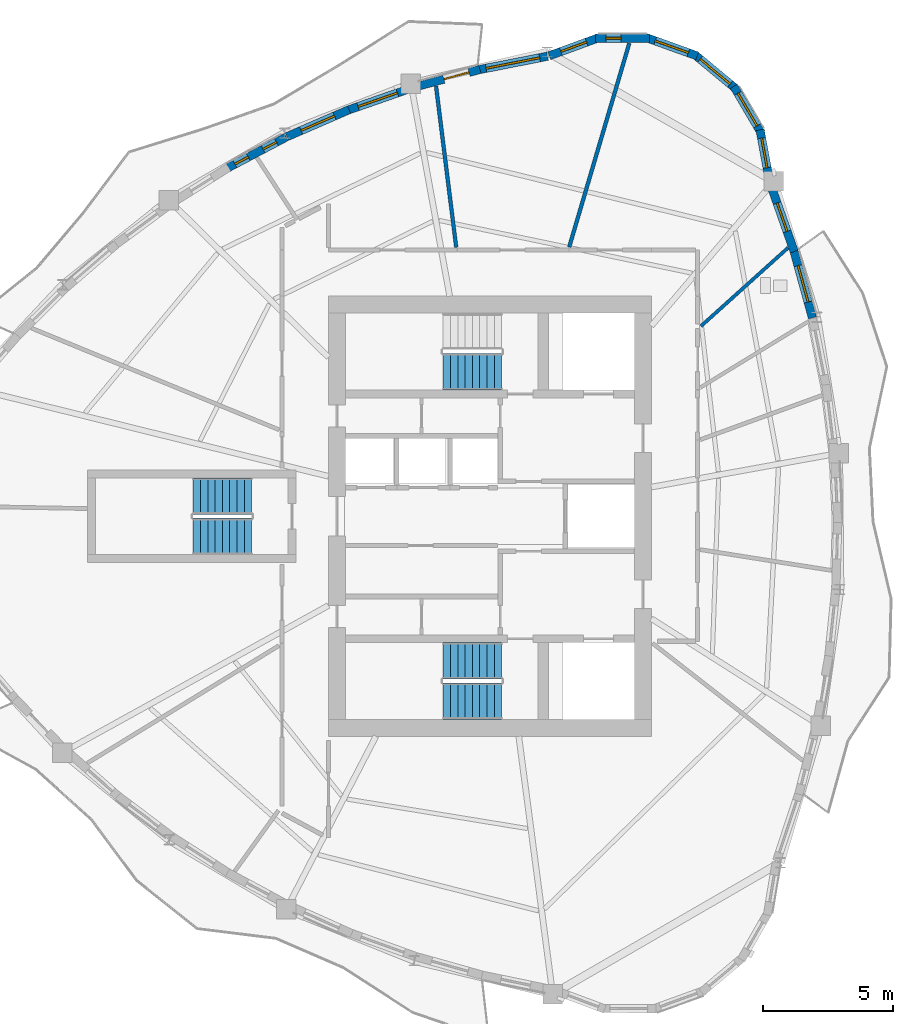
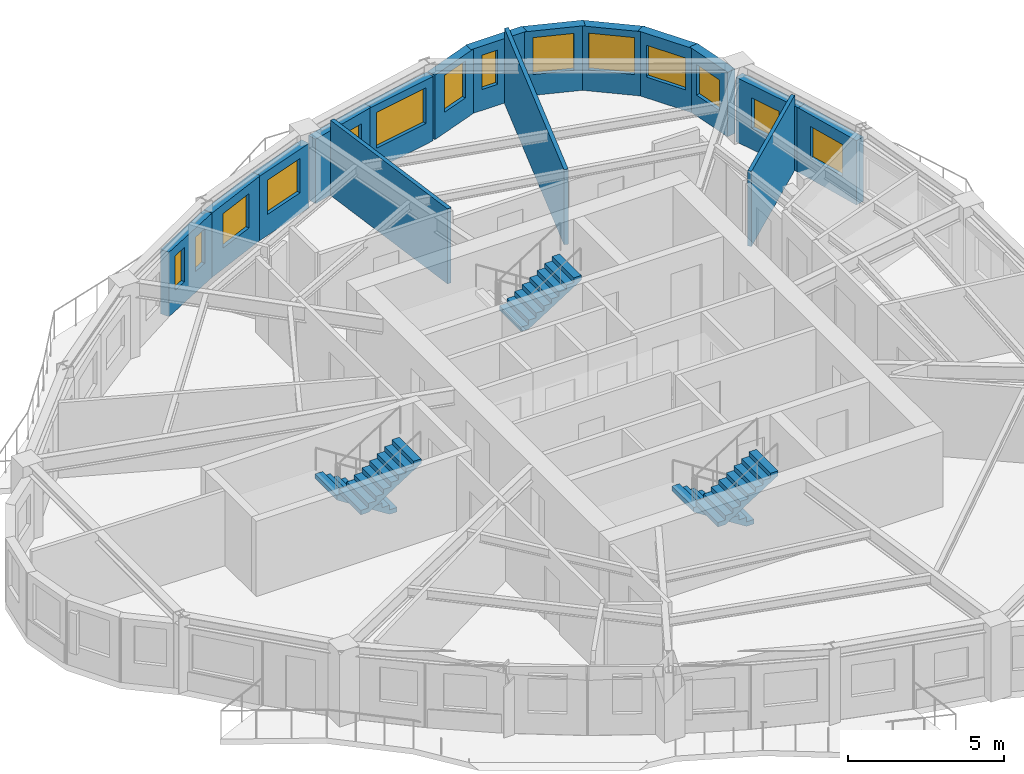
# One storey, part 7 of 12: 16 walls, 13 windows, 5 stair flights, 1 door, 14 openings, 3 elements without a shape of their own.
"""IFC4 building model written with IfcOpenShell, lengths in metres."""

from ifc_helpers import new_model, si_unit, direction, frame, frame_2d, origin, place, context, subcontext, project, spatial, polyline, rectangle, outline, extrude, source, transform, mapped, material, layer, layer_set, type_object, element, fill, aggregate, save


model = new_model("IFC4")

# Units and contexts
model_context = context("Model", 3, precision=1e-05, world=origin(), true_north=direction((0.0, 1.0)))
body_context = subcontext(model_context, "Body", "Model", "MODEL_VIEW")
ifc_project = project(units=[si_unit("LENGTHUNIT", "METRE"), si_unit("AREAUNIT", "SQUARE_METRE"), si_unit("VOLUMEUNIT", "CUBIC_METRE"), si_unit("PLANEANGLEUNIT", "RADIAN"), si_unit("MASSUNIT", "GRAM", prefix="KILO")], contexts=[model_context])

# Site, building, storey
site_placement = place(None, origin())
site = spatial("IfcSite", under=ifc_project, at=site_placement, CompositionType="ELEMENT")
building_placement = place(site_placement, origin())
building = spatial("IfcBuilding", under=site, at=building_placement, Name="Qafzar Sky-Pleat Residences", CompositionType="ELEMENT")
storey_placement = place(building_placement, frame((0.0, 0.0, 174.60009765625)))
storey = spatial("IfcBuildingStorey", under=building, at=storey_placement, Name="L52", CompositionType="ELEMENT", Elevation=174.60009765625)

# Walls
ifc_material_1 = material(Name="Acoustic gypsum plasterboard partition", Category="gypsum")
ifc_layer_1 = layer(ifc_material_1, 0.14501953125)
ifc_layer_set_1 = layer_set([ifc_layer_1], Name="Acoustic gypsum plasterboard partition")
wall_type_1 = type_object("IfcWallType", Name="PART-UNIT-145", PredefinedType="PARTITIONING", material=ifc_layer_set_1)
wall_1_placement = place(storey_placement, frame((33.39697265625, 36.338134765625, 0.0), z_axis=(0.0, 0.0, 1.0), x_axis=(0.282812266721, 0.9591752821, 0.0)))
element("IfcWall", 1, at=wall_1_placement, inside=storey, type_object=wall_type_1, Name="L52 Partition Wall PART-L52-PW-015", PredefinedType="PARTITIONING", context=body_context, shape_type="SweptSolid", body=[
    extrude(rectangle(XDim=8.163818359375, YDim=0.14501953125, at=frame_2d((4.08203125, 0.0))), origin(), (0.0, 0.0, 1.0), 2.949951171875),
])
wall_2_placement = place(storey_placement, frame((28.284423828125, 42.519287109375, 0.0), z_axis=(0.0, 0.0, 1.0), x_axis=(0.124092513413, -0.992270652652, 0.0)))
element("IfcWall", 2, at=wall_2_placement, inside=storey, type_object=wall_type_1, Name="L52 Partition Wall PART-L52-PW-018", PredefinedType="PARTITIONING", context=body_context, shape_type="SweptSolid", body=[
    extrude(rectangle(XDim=6.24072265625, YDim=0.14501953125, at=frame_2d((3.120361328125, 0.0))), origin(), (0.0, 0.0, 1.0), 2.949951171875),
])
ifc_material_2 = material(Name="Moisture-resistant gypsum partition", Category="gypsum")
ifc_layer_2 = layer(ifc_material_2, 0.1298828125)
ifc_layer_set_2 = layer_set([ifc_layer_2], Name="Moisture-resistant gypsum partition")
wall_type_2 = type_object("IfcWallType", Name="PART-WET-130", PredefinedType="PARTITIONING", material=ifc_layer_set_2)
wall_3_placement = place(storey_placement, frame((38.45947265625, 33.302490234375, 0.0), z_axis=(0.0, 0.0, 1.0), x_axis=(0.743161955126, 0.669111581467, 0.0)))
element("IfcWall", 3, at=wall_3_placement, inside=storey, type_object=wall_type_2, Name="L52 Partition Wall PART-L52-PW-022", PredefinedType="PARTITIONING", context=body_context, shape_type="SweptSolid", body=[
    extrude(rectangle(XDim=4.500244140625, YDim=0.1298828125, at=frame_2d((2.25, 0.0))), origin(), (0.0, 0.0, 1.0), 2.949951171875),
])

# Wall, opening, window
ifc_material_3 = material(Name="Precast concrete C40/50 with honed Riyadh limestone", Category="concrete")
ifc_layer_3 = layer(ifc_material_3, 0.320068359375)
ifc_layer_set_3 = layer_set([ifc_layer_3], Name="Precast concrete C40/50 with honed Riyadh limestone")
wall_type_3 = type_object("IfcWallType", Name="WALL-EXT-320", PredefinedType="SOLIDWALL", material=ifc_layer_set_3)
wall_4_placement = place(storey_placement, frame((42.738037109375, 33.620361328125, 0.0), z_axis=(0.0, 0.0, 1.0), x_axis=(-0.266368237314, 0.963871341077, 0.0)))
wall_4 = element("IfcWall", 4, at=wall_4_placement, inside=storey, type_object=wall_type_3, Name="L52 Limestone Facade Wall 31", PredefinedType="SOLIDWALL", context=body_context, shape_type="SweptSolid", body=[
    extrude(rectangle(XDim=2.724853515625, YDim=0.320068359375, at=frame_2d((1.3623046875, 0.0))), origin(), (0.0, 0.0, 1.0), 2.52978515625),
])
opening_1_placement = place(wall_4_placement, frame((0.62744140625, 0.0, 0.820068359375)))
opening_1 = element("IfcOpeningElement", 5, at=opening_1_placement, cuts=wall_4, Name="Opening WN-15", PredefinedType="OPENING", context=body_context, shape_type="SweptSolid", body=[
    extrude(rectangle(XDim=1.449951171875, YDim=1.25, at=frame_2d((0.72509765625, 0.625))), frame((0.0, 0.169921875, 0.0), z_axis=(0.0, -1.0, 0.0), x_axis=(1.0, 0.0, 0.0)), (0.0, 0.0, 1.0), 0.340087890625),
])
ifc_material_4 = material(Name="Solar-control low-E glass in bronze aluminium frame", Category="glass")
window_type_1 = type_object("IfcWindowType", Name="WIN-15", PartitioningType="SINGLE_PANEL", PredefinedType="WINDOW", material=ifc_material_4)
shared_shape_1 = source(origin(), body_context, "Body", "SweptSolid", [
    extrude(rectangle(XDim=1.449951171875, YDim=1.25, at=frame_2d((0.72509765625, 0.625))), frame((0.0, 0.030029296875, 0.0), z_axis=(0.0, -1.0, 0.0), x_axis=(1.0, 0.0, 0.0)), (0.0, 0.0, 1.0), 0.06005859375),
])
window_1_placement = place(opening_1_placement, origin())
window_1 = element("IfcWindow", 6, at=window_1_placement, inside=storey, type_object=window_type_1, Name="L52 Punched Facade Window 31", OverallHeight=1.25, OverallWidth=1.449951171875, PartitioningType="SINGLE_PANEL", PredefinedType="WINDOW", context=body_context, shape_type="MappedRepresentation", body=[
    mapped(shared_shape_1, transform((0.0, 0.0, 0.0), x_axis=(1.0, 0.0, 0.0), y_axis=(0.0, 1.0, 0.0), z_axis=(0.0, 0.0, 1.0), scale=1.0)),
])
fill(opening_1, window_1)

wall_5_placement = place(storey_placement, frame((42.0380859375, 36.163818359375, 0.0), z_axis=(0.0, 0.0, 1.0), x_axis=(-0.332757175442, 0.943012546148, 0.0)))
wall_5 = element("IfcWall", 7, at=wall_5_placement, inside=storey, type_object=wall_type_3, Name="L52 Limestone Facade Wall 32", PredefinedType="SOLIDWALL", context=body_context, shape_type="SweptSolid", body=[
    extrude(rectangle(XDim=2.6376953125, YDim=0.320068359375, at=frame_2d((1.31884765625, 0.0))), origin(), (0.0, 0.0, 1.0), 2.52978515625),
])
opening_2_placement = place(wall_5_placement, frame((0.822998046875, 0.0, 0.820068359375)))
opening_2 = element("IfcOpeningElement", 8, at=opening_2_placement, cuts=wall_5, Name="Opening WN-16", PredefinedType="OPENING", context=body_context, shape_type="SweptSolid", body=[
    extrude(rectangle(XDim=1.14990234375, YDim=1.199951171875, at=frame_2d((0.574951171875, 0.60009765625))), frame((0.0, 0.169921875, 0.0), z_axis=(0.0, -1.0, 0.0), x_axis=(1.0, 0.0, 0.0)), (0.0, 0.0, 1.0), 0.340087890625),
])
window_type_2 = type_object("IfcWindowType", Name="WIN-16", PartitioningType="SINGLE_PANEL", PredefinedType="WINDOW", material=ifc_material_4)
shared_shape_2 = source(origin(), body_context, "Body", "SweptSolid", [
    extrude(rectangle(XDim=1.14990234375, YDim=1.199951171875, at=frame_2d((0.574951171875, 0.60009765625))), frame((0.0, 0.030029296875, 0.0), z_axis=(0.0, -1.0, 0.0), x_axis=(1.0, 0.0, 0.0)), (0.0, 0.0, 1.0), 0.06005859375),
])
window_2_placement = place(opening_2_placement, origin())
window_2 = element("IfcWindow", 9, at=window_2_placement, inside=storey, type_object=window_type_2, Name="L52 Punched Facade Window 32", OverallHeight=1.199951171875, OverallWidth=1.14990234375, PartitioningType="SINGLE_PANEL", PredefinedType="WINDOW", context=body_context, shape_type="MappedRepresentation", body=[
    mapped(shared_shape_2, transform((0.0, 0.0, 0.0), x_axis=(1.0, 0.0, 0.0), y_axis=(0.0, 1.0, 0.0), z_axis=(0.0, 0.0, 1.0), scale=1.0)),
])
fill(opening_2, window_2)

wall_6_placement = place(storey_placement, frame((41.069091796875, 38.992919921875, 0.0), z_axis=(0.0, 0.0, 1.0), x_axis=(-0.182373191939, 0.983229382627, 0.0)))
wall_6 = element("IfcWall", 10, at=wall_6_placement, inside=storey, type_object=wall_type_3, Name="L52 Limestone Facade Wall 33", PredefinedType="SOLIDWALL", context=body_context, shape_type="SweptSolid", body=[
    extrude(rectangle(XDim=1.878173828125, YDim=0.320068359375, at=frame_2d((0.93896484375, 0.0))), origin(), (0.0, 0.0, 1.0), 2.52978515625),
])
opening_3_placement = place(wall_6_placement, frame((0.39892578125, 0.0, 0.820068359375)))
opening_3 = element("IfcOpeningElement", 11, at=opening_3_placement, cuts=wall_6, Name="Opening WN-16", PredefinedType="OPENING", context=body_context, shape_type="SweptSolid", body=[
    extrude(rectangle(XDim=1.14990234375, YDim=1.199951171875, at=frame_2d((0.574951171875, 0.60009765625))), frame((0.0, 0.169921875, 0.0), z_axis=(0.0, -1.0, 0.0), x_axis=(1.0, 0.0, 0.0)), (0.0, 0.0, 1.0), 0.340087890625),
])
window_3_placement = place(opening_3_placement, origin())
window_3 = element("IfcWindow", 12, at=window_3_placement, inside=storey, type_object=window_type_2, Name="L52 Punched Facade Window 33", OverallHeight=1.199951171875, OverallWidth=1.14990234375, PartitioningType="SINGLE_PANEL", PredefinedType="WINDOW", context=body_context, shape_type="MappedRepresentation", body=[
    mapped(shared_shape_2, transform((0.0, 0.0, 0.0), x_axis=(1.0, 0.0, 0.0), y_axis=(0.0, 1.0, 0.0), z_axis=(0.0, 0.0, 1.0), scale=1.0)),
])
fill(opening_3, window_3)

wall_7_placement = place(storey_placement, frame((40.77197265625, 40.717529296875, 0.0), z_axis=(0.0, 0.0, 1.0), x_axis=(-0.506312473438, 0.86235009088, 0.0)))
wall_7 = element("IfcWall", 13, at=wall_7_placement, inside=storey, type_object=wall_type_3, Name="L52 Limestone Facade Wall 34", PredefinedType="SOLIDWALL", context=body_context, shape_type="SweptSolid", body=[
    extrude(rectangle(XDim=2.0810546875, YDim=0.320068359375, at=frame_2d((1.04052734375, 0.0))), origin(), (0.0, 0.0, 1.0), 2.52978515625),
])
opening_4_placement = place(wall_7_placement, frame((0.3154296875, 0.0, 0.820068359375)))
opening_4 = element("IfcOpeningElement", 14, at=opening_4_placement, cuts=wall_7, Name="Opening WN-15", PredefinedType="OPENING", context=body_context, shape_type="SweptSolid", body=[
    extrude(rectangle(XDim=1.449951171875, YDim=1.25, at=frame_2d((0.72509765625, 0.625))), frame((0.0, 0.169921875, 0.0), z_axis=(0.0, -1.0, 0.0), x_axis=(1.0, 0.0, 0.0)), (0.0, 0.0, 1.0), 0.340087890625),
])
window_4_placement = place(opening_4_placement, origin())
window_4 = element("IfcWindow", 15, at=window_4_placement, inside=storey, type_object=window_type_1, Name="L52 Punched Facade Window 34", OverallHeight=1.25, OverallWidth=1.449951171875, PartitioningType="SINGLE_PANEL", PredefinedType="WINDOW", context=body_context, shape_type="MappedRepresentation", body=[
    mapped(shared_shape_1, transform((0.0, 0.0, 0.0), x_axis=(1.0, 0.0, 0.0), y_axis=(0.0, 1.0, 0.0), z_axis=(0.0, 0.0, 1.0), scale=1.0)),
])
fill(opening_4, window_4)

wall_8_placement = place(storey_placement, frame((39.802490234375, 42.4130859375, 0.0), z_axis=(0.0, 0.0, 1.0), x_axis=(-0.769642650648, 0.638474894028, 0.0)))
wall_8 = element("IfcWall", 16, at=wall_8_placement, inside=storey, type_object=wall_type_3, Name="L52 Limestone Facade Wall 35", PredefinedType="SOLIDWALL", context=body_context, shape_type="SweptSolid", body=[
    extrude(rectangle(XDim=2.080810546875, YDim=0.320068359375, at=frame_2d((1.04052734375, 0.0))), origin(), (0.0, 0.0, 1.0), 2.52978515625),
])
opening_5_placement = place(wall_8_placement, frame((0.29052734375, 0.0, 0.820068359375)))
opening_5 = element("IfcOpeningElement", 17, at=opening_5_placement, cuts=wall_8, Name="Opening WN-03", PredefinedType="OPENING", context=body_context, shape_type="SweptSolid", body=[
    extrude(rectangle(XDim=1.5, YDim=1.449951171875, at=frame_2d((0.75, 0.72509765625))), frame((0.0, 0.169921875, 0.0), z_axis=(0.0, -1.0, 0.0), x_axis=(1.0, 0.0, 0.0)), (0.0, 0.0, 1.0), 0.340087890625),
])
window_type_3 = type_object("IfcWindowType", Name="WIN-03", PartitioningType="DOUBLE_PANEL_VERTICAL", PredefinedType="WINDOW", material=ifc_material_4)
shared_shape_3 = source(origin(), body_context, "Body", "SweptSolid", [
    extrude(rectangle(XDim=1.5, YDim=1.449951171875, at=frame_2d((0.75, 0.72509765625))), frame((0.0, 0.030029296875, 0.0), z_axis=(0.0, -1.0, 0.0), x_axis=(1.0, 0.0, 0.0)), (0.0, 0.0, 1.0), 0.06005859375),
])
window_5_placement = place(opening_5_placement, origin())
window_5 = element("IfcWindow", 18, at=window_5_placement, inside=storey, type_object=window_type_3, Name="L52 Punched Facade Window 35", OverallHeight=1.449951171875, OverallWidth=1.5, PartitioningType="SINGLE_PANEL", PredefinedType="WINDOW", context=body_context, shape_type="MappedRepresentation", body=[
    mapped(shared_shape_3, transform((0.0, 0.0, 0.0), x_axis=(1.0, 0.0, 0.0), y_axis=(0.0, 1.0, 0.0), z_axis=(0.0, 0.0, 1.0), scale=1.0)),
])
fill(opening_5, window_5)

wall_9_placement = place(storey_placement, frame((38.31396484375, 43.67724609375, 0.0), z_axis=(0.0, 0.0, 1.0), x_axis=(-0.941071215914, 0.338208466153, 0.0)))
wall_9 = element("IfcWall", 19, at=wall_9_placement, inside=storey, type_object=wall_type_3, Name="L52 Limestone Facade Wall 36", PredefinedType="SOLIDWALL", context=body_context, shape_type="SweptSolid", body=[
    extrude(rectangle(XDim=2.0810546875, YDim=0.320068359375, at=frame_2d((1.04052734375, 0.0))), origin(), (0.0, 0.0, 1.0), 2.52978515625),
])
opening_6_placement = place(wall_9_placement, frame((0.365478515625, 0.0, 0.820068359375)))
opening_6 = element("IfcOpeningElement", 20, at=opening_6_placement, cuts=wall_9, Name="Opening WN-04", PredefinedType="OPENING", context=body_context, shape_type="SweptSolid", body=[
    extrude(rectangle(XDim=1.35009765625, YDim=1.449951171875, at=frame_2d((0.675048828125, 0.72509765625))), frame((0.0, 0.169921875, 0.0), z_axis=(0.0, -1.0, 0.0), x_axis=(1.0, 0.0, 0.0)), (0.0, 0.0, 1.0), 0.340087890625),
])
window_type_4 = type_object("IfcWindowType", Name="WIN-04", PartitioningType="SINGLE_PANEL", PredefinedType="WINDOW", material=ifc_material_4)
shared_shape_4 = source(origin(), body_context, "Body", "SweptSolid", [
    extrude(rectangle(XDim=1.35009765625, YDim=1.449951171875, at=frame_2d((0.675048828125, 0.72509765625))), frame((0.0, 0.030029296875, 0.0), z_axis=(0.0, -1.0, 0.0), x_axis=(1.0, 0.0, 0.0)), (0.0, 0.0, 1.0), 0.06005859375),
])
window_6_placement = place(opening_6_placement, origin())
window_6 = element("IfcWindow", 21, at=window_6_placement, inside=storey, type_object=window_type_4, Name="L52 Punched Facade Window 36", OverallHeight=1.449951171875, OverallWidth=1.35009765625, PartitioningType="SINGLE_PANEL", PredefinedType="WINDOW", context=body_context, shape_type="MappedRepresentation", body=[
    mapped(shared_shape_4, transform((0.0, 0.0, 0.0), x_axis=(1.0, 0.0, 0.0), y_axis=(0.0, 1.0, 0.0), z_axis=(0.0, 0.0, 1.0), scale=1.0)),
])
fill(opening_6, window_6)

wall_10_placement = place(storey_placement, frame((36.48388671875, 44.35888671875, 0.0), z_axis=(0.0, 0.0, 1.0), x_axis=(-0.999997248057, -0.0023460346, 0.0)))
wall_10 = element("IfcWall", 22, at=wall_10_placement, inside=storey, type_object=wall_type_3, Name="L52 Limestone Facade Wall 37", PredefinedType="SOLIDWALL", context=body_context, shape_type="SweptSolid", body=[
    extrude(rectangle(XDim=2.081298828125, YDim=0.320068359375, at=frame_2d((1.04052734375, 0.0))), origin(), (0.0, 0.0, 1.0), 2.52978515625),
])
opening_7_placement = place(wall_10_placement, frame((1.09423828125, 0.0, 0.820068359375)))
opening_7 = element("IfcOpeningElement", 23, at=opening_7_placement, cuts=wall_10, Name="Opening WN-17", PredefinedType="OPENING", context=body_context, shape_type="SweptSolid", body=[
    extrude(rectangle(XDim=0.580078125, YDim=1.35009765625, at=frame_2d((0.2900390625, 0.675048828125))), frame((0.0, 0.169921875, 0.0), z_axis=(0.0, -1.0, 0.0), x_axis=(1.0, 0.0, 0.0)), (0.0, 0.0, 1.0), 0.340087890625),
])
window_type_5 = type_object("IfcWindowType", Name="WIN-17", PartitioningType="SINGLE_PANEL", PredefinedType="WINDOW", material=ifc_material_4)
shared_shape_5 = source(origin(), body_context, "Body", "SweptSolid", [
    extrude(rectangle(XDim=0.580078125, YDim=1.35009765625, at=frame_2d((0.2900390625, 0.675048828125))), frame((0.0, 0.030029296875, 0.0), z_axis=(0.0, -1.0, 0.0), x_axis=(1.0, 0.0, 0.0)), (0.0, 0.0, 1.0), 0.06005859375),
])
window_7_placement = place(opening_7_placement, origin())
window_7 = element("IfcWindow", 24, at=window_7_placement, inside=storey, type_object=window_type_5, Name="L52 Punched Facade Window 37-2", OverallHeight=1.35009765625, OverallWidth=0.580078125, PartitioningType="SINGLE_PANEL", PredefinedType="WINDOW", context=body_context, shape_type="MappedRepresentation", body=[
    mapped(shared_shape_5, transform((0.0, 0.0, 0.0), x_axis=(1.0, 0.0, 0.0), y_axis=(0.0, 1.0, 0.0), z_axis=(0.0, 0.0, 1.0), scale=1.0)),
])
fill(opening_7, window_7)

wall_11_placement = place(storey_placement, frame((34.53076171875, 44.376708984375, 0.0), z_axis=(0.0, 0.0, 1.0), x_axis=(-0.939387553708, -0.342857148007, 0.0)))
wall_11 = element("IfcWall", 25, at=wall_11_placement, inside=storey, type_object=wall_type_3, Name="L52 Limestone Facade Wall 38", PredefinedType="SOLIDWALL", context=body_context, shape_type="SweptSolid", body=[
    extrude(rectangle(XDim=2.02294921875, YDim=0.320068359375, at=frame_2d((1.011474609375, 0.0))), origin(), (0.0, 0.0, 1.0), 2.52978515625),
])
opening_8_placement = place(wall_11_placement, frame((0.49658203125, 0.0, 0.820068359375)))
opening_8 = element("IfcOpeningElement", 26, at=opening_8_placement, cuts=wall_11, Name="Opening WN-06", PredefinedType="OPENING", context=body_context, shape_type="SweptSolid", body=[
    extrude(rectangle(XDim=1.050048828125, YDim=1.449951171875, at=frame_2d((0.52490234375, 0.72509765625))), frame((0.0, 0.169921875, 0.0), z_axis=(0.0, -1.0, 0.0), x_axis=(1.0, 0.0, 0.0)), (0.0, 0.0, 1.0), 0.340087890625),
])
window_type_6 = type_object("IfcWindowType", Name="WIN-06", PartitioningType="SINGLE_PANEL", PredefinedType="WINDOW", material=ifc_material_4)
shared_shape_6 = source(origin(), body_context, "Body", "SweptSolid", [
    extrude(rectangle(XDim=1.050048828125, YDim=1.449951171875, at=frame_2d((0.52490234375, 0.72509765625))), frame((0.0, 0.030029296875, 0.0), z_axis=(0.0, -1.0, 0.0), x_axis=(1.0, 0.0, 0.0)), (0.0, 0.0, 1.0), 0.06005859375),
])
window_8_placement = place(opening_8_placement, origin())
window_8 = element("IfcWindow", 27, at=window_8_placement, inside=storey, type_object=window_type_6, Name="L52 Punched Facade Window 38", OverallHeight=1.449951171875, OverallWidth=1.050048828125, PartitioningType="SINGLE_PANEL", PredefinedType="WINDOW", context=body_context, shape_type="MappedRepresentation", body=[
    mapped(shared_shape_6, transform((0.0, 0.0, 0.0), x_axis=(1.0, 0.0, 0.0), y_axis=(0.0, 1.0, 0.0), z_axis=(0.0, 0.0, 1.0), scale=1.0)),
])
fill(opening_8, window_8)

wall_12_placement = place(storey_placement, frame((32.56787109375, 43.665771484375, 0.0), z_axis=(0.0, 0.0, 1.0), x_axis=(-0.98123405142, -0.192820476959, 0.0)))
wall_12 = element("IfcWall", 28, at=wall_12_placement, inside=storey, type_object=wall_type_3, Name="L52 Limestone Facade Wall 39", PredefinedType="SOLIDWALL", context=body_context, shape_type="SweptSolid", body=[
    extrude(rectangle(XDim=2.736083984375, YDim=0.320068359375, at=frame_2d((1.3681640625, 0.0))), origin(), (0.0, 0.0, 1.0), 2.52978515625),
])
opening_9_placement = place(wall_12_placement, frame((0.30810546875, 0.0, 0.820068359375)))
opening_9 = element("IfcOpeningElement", 29, at=opening_9_placement, cuts=wall_12, Name="Opening WN-07", PredefinedType="OPENING", context=body_context, shape_type="SweptSolid", body=[
    extrude(rectangle(XDim=2.10009765625, YDim=1.39990234375, at=frame_2d((1.050048828125, 0.699951171875))), frame((0.0, 0.169921875, 0.0), z_axis=(0.0, -1.0, 0.0), x_axis=(1.0, 0.0, 0.0)), (0.0, 0.0, 1.0), 0.340087890625),
])
window_type_7 = type_object("IfcWindowType", Name="WIN-07", PartitioningType="DOUBLE_PANEL_VERTICAL", PredefinedType="WINDOW", material=ifc_material_4)
shared_shape_7 = source(origin(), body_context, "Body", "SweptSolid", [
    extrude(rectangle(XDim=2.10009765625, YDim=1.39990234375, at=frame_2d((1.050048828125, 0.699951171875))), frame((0.0, 0.030029296875, 0.0), z_axis=(0.0, -1.0, 0.0), x_axis=(1.0, 0.0, 0.0)), (0.0, 0.0, 1.0), 0.06005859375),
])
window_9_placement = place(opening_9_placement, origin())
window_9 = element("IfcWindow", 30, at=window_9_placement, inside=storey, type_object=window_type_7, Name="L52 Punched Facade Window 39", OverallHeight=1.39990234375, OverallWidth=2.10009765625, PartitioningType="SINGLE_PANEL", PredefinedType="WINDOW", context=body_context, shape_type="MappedRepresentation", body=[
    mapped(shared_shape_7, transform((0.0, 0.0, 0.0), x_axis=(1.0, 0.0, 0.0), y_axis=(0.0, 1.0, 0.0), z_axis=(0.0, 0.0, 1.0), scale=1.0)),
])
fill(opening_9, window_9)

# Wall, opening, door
wall_13_placement = place(storey_placement, frame((29.968017578125, 43.157958984375, 0.0), z_axis=(0.0, 0.0, 1.0), x_axis=(-0.965458407369, -0.260557217593, 0.0)))
wall_13 = element("IfcWall", 31, at=wall_13_placement, inside=storey, type_object=wall_type_3, Name="L52 Limestone Facade Wall 40", PredefinedType="SOLIDWALL", context=body_context, shape_type="SweptSolid", body=[
    extrude(rectangle(XDim=2.53466796875, YDim=0.320068359375, at=frame_2d((1.267333984375, 0.0))), origin(), (0.0, 0.0, 1.0), 2.52978515625),
])
opening_10_placement = place(wall_13_placement, frame((0.433837890625, 0.0, 0.0)))
opening_10 = element("IfcOpeningElement", 32, at=opening_10_placement, cuts=wall_13, Name="Opening ED-05", PredefinedType="OPENING", context=body_context, shape_type="SweptSolid", body=[
    extrude(rectangle(XDim=1.0, YDim=2.10009765625, at=frame_2d((0.5, 1.050048828125))), frame((0.0, 0.169921875, 0.0), z_axis=(0.0, -1.0, 0.0), x_axis=(1.0, 0.0, 0.0)), (0.0, 0.0, 1.0), 0.340087890625),
])
ifc_material_5 = material(Name="Glazed bronze aluminium door", Category="aluminium")
door_type = type_object("IfcDoorType", Name="DR-BAL-1000", OperationType="NOTDEFINED", PredefinedType="DOOR", material=ifc_material_5)
shared_shape_8 = source(origin(), body_context, "Body", "SweptSolid", [
    extrude(rectangle(XDim=1.0, YDim=2.10009765625, at=frame_2d((0.5, 1.050048828125))), frame((0.0, 0.02490234375, 0.0), z_axis=(0.0, -1.0, 0.0), x_axis=(1.0, 0.0, 0.0)), (0.0, 0.0, 1.0), 0.050048828125),
])
door_placement = place(opening_10_placement, origin())
door = element("IfcDoor", 33, at=door_placement, inside=storey, type_object=door_type, Name="L52 Glazed Balcony Door 2", OperationType="SINGLE_SWING_RIGHT", OverallHeight=2.10009765625, OverallWidth=1.0, PredefinedType="DOOR", context=body_context, shape_type="MappedRepresentation", body=[
    mapped(shared_shape_8, transform((0.0, 0.0, 0.0), x_axis=(1.0, 0.0, 0.0), y_axis=(0.0, 1.0, 0.0), z_axis=(0.0, 0.0, 1.0), scale=1.0)),
])
fill(opening_10, door)

# Wall, opening, window
wall_14_placement = place(storey_placement, frame((27.217041015625, 42.403564453125, 0.0), z_axis=(0.0, 0.0, 1.0), x_axis=(-0.94410869631, -0.329634296687, 0.0)))
wall_14 = element("IfcWall", 34, at=wall_14_placement, inside=storey, type_object=wall_type_3, Name="L52 Limestone Facade Wall 41", PredefinedType="SOLIDWALL", context=body_context, shape_type="SweptSolid", body=[
    extrude(rectangle(XDim=2.49072265625, YDim=0.320068359375, at=frame_2d((1.245361328125, 0.0))), origin(), (0.0, 0.0, 1.0), 2.52978515625),
])
opening_11_placement = place(wall_14_placement, frame((0.4404296875, 0.0, 0.820068359375)))
opening_11 = element("IfcOpeningElement", 35, at=opening_11_placement, cuts=wall_14, Name="Opening WN-09", PredefinedType="OPENING", context=body_context, shape_type="SweptSolid", body=[
    extrude(rectangle(XDim=1.60009765625, YDim=1.35009765625, at=frame_2d((0.800048828125, 0.675048828125))), frame((0.0, 0.169921875, 0.0), z_axis=(0.0, -1.0, 0.0), x_axis=(1.0, 0.0, 0.0)), (0.0, 0.0, 1.0), 0.340087890625),
])
window_type_8 = type_object("IfcWindowType", Name="WIN-09", PartitioningType="DOUBLE_PANEL_VERTICAL", PredefinedType="WINDOW", material=ifc_material_4)
shared_shape_9 = source(origin(), body_context, "Body", "SweptSolid", [
    extrude(rectangle(XDim=1.60009765625, YDim=1.35009765625, at=frame_2d((0.800048828125, 0.675048828125))), frame((0.0, 0.030029296875, 0.0), z_axis=(0.0, -1.0, 0.0), x_axis=(1.0, 0.0, 0.0)), (0.0, 0.0, 1.0), 0.06005859375),
])
window_10_placement = place(opening_11_placement, origin())
window_10 = element("IfcWindow", 36, at=window_10_placement, inside=storey, type_object=window_type_8, Name="L52 Punched Facade Window 41", OverallHeight=1.35009765625, OverallWidth=1.60009765625, PartitioningType="SINGLE_PANEL", PredefinedType="WINDOW", context=body_context, shape_type="MappedRepresentation", body=[
    mapped(shared_shape_9, transform((0.0, 0.0, 0.0), x_axis=(1.0, 0.0, 0.0), y_axis=(0.0, 1.0, 0.0), z_axis=(0.0, 0.0, 1.0), scale=1.0)),
])
fill(opening_11, window_10)

wall_15_placement = place(storey_placement, frame((24.947021484375, 41.614501953125, 0.0), z_axis=(0.0, 0.0, 1.0), x_axis=(-0.9171028146, -0.398650758752, 0.0)))
wall_15 = element("IfcWall", 37, at=wall_15_placement, inside=storey, type_object=wall_type_3, Name="L52 Limestone Facade Wall 42", PredefinedType="SOLIDWALL", context=body_context, shape_type="SweptSolid", body=[
    extrude(rectangle(XDim=2.6064453125, YDim=0.320068359375, at=frame_2d((1.30322265625, 0.0))), origin(), (0.0, 0.0, 1.0), 2.52978515625),
])
opening_12_placement = place(wall_15_placement, frame((0.61328125, 0.0, 0.820068359375)))
opening_12 = element("IfcOpeningElement", 38, at=opening_12_placement, cuts=wall_15, Name="Opening WN-10", PredefinedType="OPENING", context=body_context, shape_type="SweptSolid", body=[
    extrude(rectangle(XDim=1.39990234375, YDim=1.35009765625, at=frame_2d((0.699951171875, 0.675048828125))), frame((0.0, 0.169921875, 0.0), z_axis=(0.0, -1.0, 0.0), x_axis=(1.0, 0.0, 0.0)), (0.0, 0.0, 1.0), 0.340087890625),
])
window_type_9 = type_object("IfcWindowType", Name="WIN-10", PartitioningType="SINGLE_PANEL", PredefinedType="WINDOW", material=ifc_material_4)
shared_shape_10 = source(origin(), body_context, "Body", "SweptSolid", [
    extrude(rectangle(XDim=1.39990234375, YDim=1.35009765625, at=frame_2d((0.699951171875, 0.675048828125))), frame((0.0, 0.030029296875, 0.0), z_axis=(0.0, -1.0, 0.0), x_axis=(1.0, 0.0, 0.0)), (0.0, 0.0, 1.0), 0.06005859375),
])
window_11_placement = place(opening_12_placement, origin())
window_11 = element("IfcWindow", 39, at=window_11_placement, inside=storey, type_object=window_type_9, Name="L52 Punched Facade Window 42", OverallHeight=1.35009765625, OverallWidth=1.39990234375, PartitioningType="SINGLE_PANEL", PredefinedType="WINDOW", context=body_context, shape_type="MappedRepresentation", body=[
    mapped(shared_shape_10, transform((0.0, 0.0, 0.0), x_axis=(1.0, 0.0, 0.0), y_axis=(0.0, 1.0, 0.0), z_axis=(0.0, 0.0, 1.0), scale=1.0)),
])
fill(opening_12, window_11)

# Wall, openings, windows
wall_16_placement = place(storey_placement, frame((22.531494140625, 40.5634765625, 0.0), z_axis=(0.0, 0.0, 1.0), x_axis=(-0.884376111278, -0.466774992691, 0.0)))
wall_16 = element("IfcWall", 40, at=wall_16_placement, inside=storey, type_object=wall_type_3, Name="L52 Limestone Facade Wall 43", PredefinedType="SOLIDWALL", context=body_context, shape_type="SweptSolid", body=[
    extrude(rectangle(XDim=2.591552734375, YDim=0.320068359375, at=frame_2d((1.2958984375, 0.0))), origin(), (0.0, 0.0, 1.0), 2.52978515625),
])
opening_13_placement = place(wall_16_placement, frame((0.42431640625, 0.0, 0.820068359375)))
opening_13 = element("IfcOpeningElement", 41, at=opening_13_placement, cuts=wall_16, Name="Opening WN-17", PredefinedType="OPENING", context=body_context, shape_type="SweptSolid", body=[
    extrude(rectangle(XDim=0.580078125, YDim=1.35009765625, at=frame_2d((0.2900390625, 0.675048828125))), frame((0.0, 0.169921875, 0.0), z_axis=(0.0, -1.0, 0.0), x_axis=(1.0, 0.0, 0.0)), (0.0, 0.0, 1.0), 0.340087890625),
])
opening_14_placement = place(wall_16_placement, frame((1.650390625, 0.0, 0.820068359375)))
opening_14 = element("IfcOpeningElement", 42, at=opening_14_placement, cuts=wall_16, Name="Opening WN-17", PredefinedType="OPENING", context=body_context, shape_type="SweptSolid", body=[
    extrude(rectangle(XDim=0.580078125, YDim=1.35009765625, at=frame_2d((0.2900390625, 0.675048828125))), frame((0.0, 0.169921875, 0.0), z_axis=(0.0, -1.0, 0.0), x_axis=(1.0, 0.0, 0.0)), (0.0, 0.0, 1.0), 0.340087890625),
])
window_12_placement = place(opening_13_placement, origin())
window_12 = element("IfcWindow", 43, at=window_12_placement, inside=storey, type_object=window_type_5, Name="L52 Punched Facade Window 43", OverallHeight=1.35009765625, OverallWidth=0.580078125, PartitioningType="SINGLE_PANEL", PredefinedType="WINDOW", context=body_context, shape_type="MappedRepresentation", body=[
    mapped(shared_shape_5, transform((0.0, 0.0, 0.0), x_axis=(1.0, 0.0, 0.0), y_axis=(0.0, 1.0, 0.0), z_axis=(0.0, 0.0, 1.0), scale=1.0)),
])
fill(opening_13, window_12)
window_13_placement = place(opening_14_placement, origin())
window_13 = element("IfcWindow", 44, at=window_13_placement, inside=storey, type_object=window_type_5, Name="L52 Punched Facade Window 43-2", OverallHeight=1.35009765625, OverallWidth=0.580078125, PartitioningType="SINGLE_PANEL", PredefinedType="WINDOW", context=body_context, shape_type="MappedRepresentation", body=[
    mapped(shared_shape_5, transform((0.0, 0.0, 0.0), x_axis=(1.0, 0.0, 0.0), y_axis=(0.0, 1.0, 0.0), z_axis=(0.0, 0.0, 1.0), scale=1.0)),
])
fill(opening_14, window_13)

# Stair, stair flights
ifc_material_6 = material(Name="Concrete C40/50", Category="concrete")
stair_type = type_object("IfcStairType", Name="STAIR-H320", PredefinedType="HALF_TURN_STAIR", material=ifc_material_6)
stair_1_placement = place(storey_placement, origin())
stair_1 = element("IfcStair", 45, at=stair_1_placement, inside=storey, type_object=stair_type, Name="L52 Protected Exit Stair ST1", PredefinedType="HALF_TURN_STAIR")
stair_flight_type = type_object("IfcStairFlightType", Name="FLIGHT-H320", PredefinedType="STRAIGHT", material=ifc_material_6)
shared_shape_11 = source(origin(), body_context, "Body", "SweptSolid", [
    extrude(outline(polyline([(0.0, 0.0), (0.0, 0.177734375), (0.280029296875, 0.177734375), (0.280029296875, 0.35546875), (0.56005859375, 0.35546875), (0.56005859375, 0.533447265625), (0.840087890625, 0.533447265625), (0.840087890625, 0.711181640625), (1.1201171875, 0.711181640625), (1.1201171875, 0.888916015625), (1.39990234375, 0.888916015625), (1.39990234375, 1.066650390625), (1.679931640625, 1.066650390625), (1.679931640625, 1.244384765625), (1.9599609375, 1.244384765625), (1.9599609375, 1.422119140625), (2.239990234375, 1.422119140625), (2.239990234375, 1.60009765625), (2.239990234375, 1.24462890625), (0.27978515625, 0.0), (0.0, 0.0)])), frame((0.0, 0.699951171875, 0.0), z_axis=(0.0, -1.0, 0.0), x_axis=(1.0, 0.0, 0.0)), (0.0, 0.0, 1.0), 1.39990234375),
])
stair_flight_1_placement = place(storey_placement, frame((30.800048828125, 20.449951171875, 0.0), z_axis=(0.0, 0.0, 1.0), x_axis=(-1.0, 0.0, 0.0)))
stair_flight_1 = element("IfcStairFlight", 46, at=stair_flight_1_placement, type_object=stair_flight_type, Name="ST1 flight 1", NumberOfRisers=9, NumberOfTreads=8, PredefinedType="STRAIGHT", RiserHeight=0.177777778, TreadLength=0.28, context=body_context, shape_type="MappedRepresentation", body=[
    mapped(shared_shape_11, transform((0.0, 0.0, 0.0), x_axis=(1.0, 0.0, 0.0), y_axis=(0.0, 1.0, 0.0), z_axis=(0.0, 0.0, 1.0), scale=1.0)),
])
stair_flight_2_placement = place(storey_placement, frame((28.56005859375, 18.89990234375, 1.599853515625), z_axis=(0.0, 0.0, 1.0), x_axis=(1.0, 0.0, 0.0)))
stair_flight_2 = element("IfcStairFlight", 47, at=stair_flight_2_placement, type_object=stair_flight_type, Name="ST1 flight 2", NumberOfRisers=9, NumberOfTreads=8, PredefinedType="STRAIGHT", RiserHeight=0.177777778, TreadLength=0.28, context=body_context, shape_type="MappedRepresentation", body=[
    mapped(shared_shape_11, transform((0.0, 0.0, 0.0), x_axis=(1.0, 0.0, 0.0), y_axis=(0.0, 1.0, 0.0), z_axis=(0.0, 0.0, 1.0), scale=1.0)),
])
aggregate(stair_1, [stair_flight_1, stair_flight_2])

# Stair, stair flight
stair_2_placement = place(storey_placement, origin())
stair_2 = element("IfcStair", 48, at=stair_2_placement, inside=storey, type_object=stair_type, Name="L52 Protected Exit Stair ST2", PredefinedType="HALF_TURN_STAIR")
stair_flight_3_placement = place(storey_placement, frame((28.56005859375, 31.550048828125, 1.599853515625), z_axis=(0.0, 0.0, 1.0), x_axis=(1.0, 0.0, 0.0)))
stair_flight_3 = element("IfcStairFlight", 49, at=stair_flight_3_placement, type_object=stair_flight_type, Name="ST2 flight 2", NumberOfRisers=9, NumberOfTreads=8, PredefinedType="STRAIGHT", RiserHeight=0.177777778, TreadLength=0.28, context=body_context, shape_type="MappedRepresentation", body=[
    mapped(shared_shape_11, transform((0.0, 0.0, 0.0), x_axis=(1.0, 0.0, 0.0), y_axis=(0.0, 1.0, 0.0), z_axis=(0.0, 0.0, 1.0), scale=1.0)),
])
aggregate(stair_2, [stair_flight_3])

# Stair, stair flights
stair_3_placement = place(storey_placement, origin())
stair_3 = element("IfcStair", 50, at=stair_3_placement, inside=storey, type_object=stair_type, Name="L52 Protected Exit Stair ST3", PredefinedType="HALF_TURN_STAIR")
stair_flight_4_placement = place(storey_placement, frame((21.199951171875, 26.77490234375, 0.0), z_axis=(0.0, 0.0, 1.0), x_axis=(-1.0, 0.0, 0.0)))
stair_flight_4 = element("IfcStairFlight", 51, at=stair_flight_4_placement, type_object=stair_flight_type, Name="ST3 flight 1", NumberOfRisers=9, NumberOfTreads=8, PredefinedType="STRAIGHT", RiserHeight=0.177777778, TreadLength=0.28, context=body_context, shape_type="MappedRepresentation", body=[
    mapped(shared_shape_11, transform((0.0, 0.0, 0.0), x_axis=(1.0, 0.0, 0.0), y_axis=(0.0, 1.0, 0.0), z_axis=(0.0, 0.0, 1.0), scale=1.0)),
])
stair_flight_5_placement = place(storey_placement, frame((18.9599609375, 25.22509765625, 1.599853515625), z_axis=(0.0, 0.0, 1.0), x_axis=(1.0, 0.0, 0.0)))
stair_flight_5 = element("IfcStairFlight", 52, at=stair_flight_5_placement, type_object=stair_flight_type, Name="ST3 flight 2", NumberOfRisers=9, NumberOfTreads=8, PredefinedType="STRAIGHT", RiserHeight=0.177777778, TreadLength=0.28, context=body_context, shape_type="MappedRepresentation", body=[
    mapped(shared_shape_11, transform((0.0, 0.0, 0.0), x_axis=(1.0, 0.0, 0.0), y_axis=(0.0, 1.0, 0.0), z_axis=(0.0, 0.0, 1.0), scale=1.0)),
])
aggregate(stair_3, [stair_flight_4, stair_flight_5])

save(model, "model.ifc")
